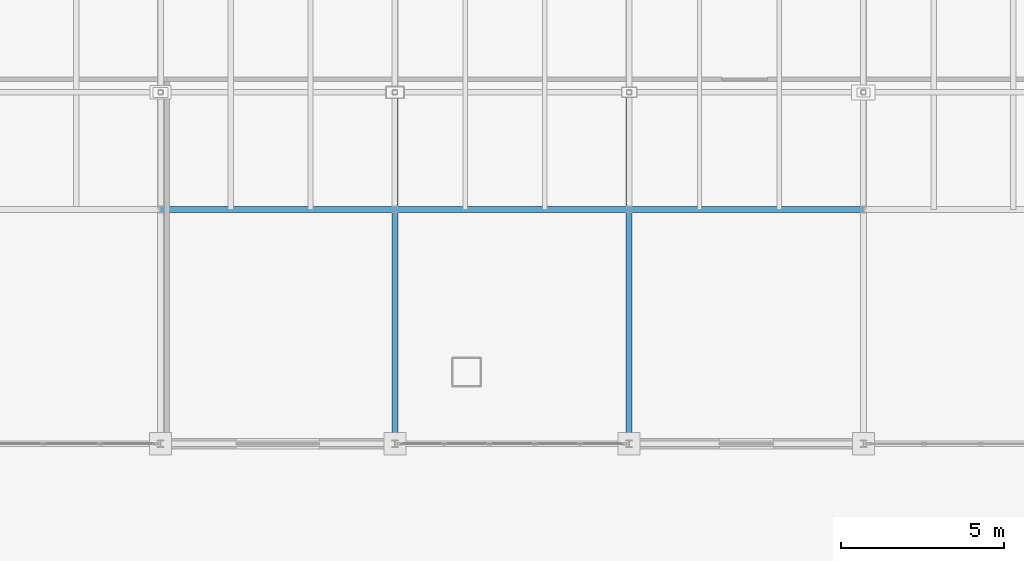
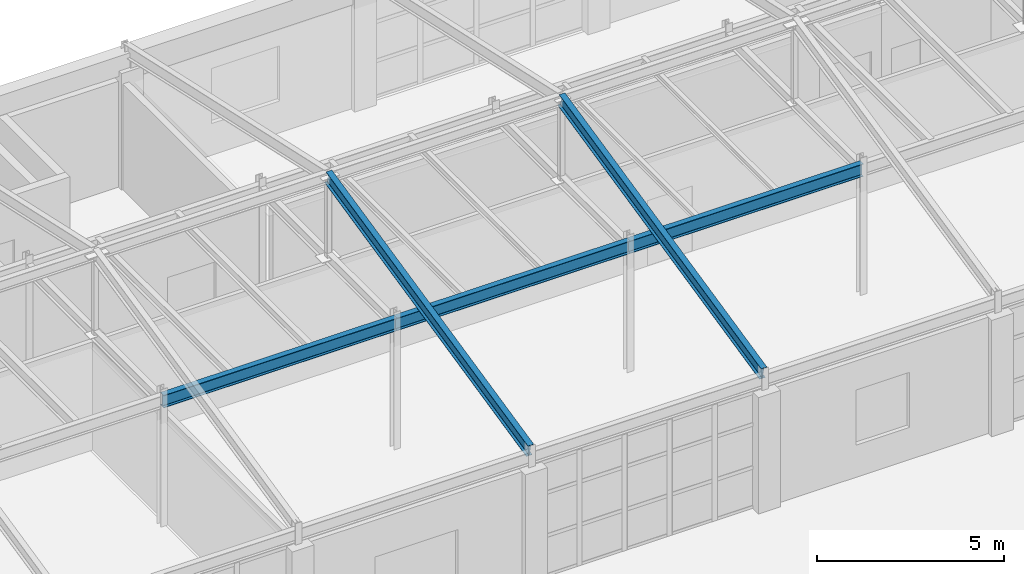
# One storey, part 61 of 101: 5 beams.
"""IFC4 building model written with IfcOpenShell, lengths in metres."""

from ifc_helpers import new_model, si_unit, direction, frame, origin, origin_2d, place, context, subcontext, project, spatial, i_section, extrude, material, material_profile, profile_set, type_object, element, save


model = new_model("IFC4")

# Units and contexts
model_context = context("Model", 3, precision=1e-05, world=origin(), true_north=direction((0.0, 1.0)))
body_context = subcontext(model_context, "Body", "Model", "MODEL_VIEW")
ifc_project = project(units=[si_unit("LENGTHUNIT", "METRE"), si_unit("AREAUNIT", "SQUARE_METRE"), si_unit("VOLUMEUNIT", "CUBIC_METRE"), si_unit("PLANEANGLEUNIT", "RADIAN"), si_unit("MASSUNIT", "GRAM", prefix="KILO")], contexts=[model_context])

# Site, building, storey
site_placement = place(None, origin())
site = spatial("IfcSite", under=ifc_project, at=site_placement, CompositionType="ELEMENT")
building_placement = place(site_placement, origin())
building = spatial("IfcBuilding", under=site, at=building_placement, Name="Kemerveld Promenade Tramway Depot", CompositionType="ELEMENT")
storey_placement = place(building_placement, frame((0.0, 0.0, 9.89990234375)))
storey = spatial("IfcBuildingStorey", under=building, at=storey_placement, Name="L02", CompositionType="ELEMENT", Elevation=9.89990234375)

# Beams
ifc_material = material(Name="Steel S355", Category="steel")
ifc_material_profile = material_profile(ifc_material, i_section(OverallWidth=0.1787109375, OverallDepth=0.409423828125, WebThickness=0.0087890625, FlangeThickness=0.014404296875, FilletRadius=0.01025390625, at=origin_2d()), Name="406x178x67 UB")
ifc_profile_set = profile_set([ifc_material_profile], Name="Steel S355")
beam_type = type_object("IfcBeamType", Name="BM-G07", PredefinedType="BEAM", material=ifc_profile_set)
for number, where, z_axis, x_axis, name in (
    (1, (93.60009765625, 14.39990234375, 4.0703125), (1.0, 0.0, 0.0), (0.0, 1.0, 0.0), "BMX-L02-14-15-C"),
    (2, (100.800048828125, 14.39990234375, 4.0703125), (1.0, 0.0, 0.0), (0.0, 1.0, 0.0), "BMX-L02-15-16-C"),
    (3, (108.0, 14.39990234375, 4.0703125), (1.0, 0.0, 0.0), (0.0, 1.0, 0.0), "BMX-L02-16-17-C"),
):
    element("IfcBeam", number, at=place(storey_placement, frame(where, z_axis=z_axis, x_axis=x_axis)), inside=storey, type_object=beam_type, Name=name, PredefinedType="BEAM", context=body_context, shape_type="SweptSolid", body=[
        extrude(i_section(OverallWidth=0.1787109375, OverallDepth=0.409423828125, WebThickness=0.0087890625, FlangeThickness=0.014404296875, FilletRadius=0.01025390625, at=origin_2d()), origin(), (0.0, 0.0, 1.0), 7.199951171875),
    ])
for number, where, z_axis, x_axis, name in (
    (4, (100.800048828125, 7.199951171875, 4.275390625), (0.0, 0.976189137057, 0.216921111677), (-1.0, 0.0, 0.0), "RAF-V4-15-S"),
    (5, (108.0, 7.199951171875, 4.275390625), (0.0, 0.976189137057, 0.216921111677), (-1.0, 0.0, 0.0), "RAF-V4-16-S"),
):
    element("IfcBeam", number, at=place(storey_placement, frame(where, z_axis=z_axis, x_axis=x_axis)), inside=storey, type_object=beam_type, Name=name, PredefinedType="BEAM", context=body_context, shape_type="SweptSolid", body=[
        extrude(i_section(OverallWidth=0.1787109375, OverallDepth=0.409423828125, WebThickness=0.0087890625, FlangeThickness=0.014404296875, FilletRadius=0.01025390625, at=origin_2d()), origin(), (0.0, 0.0, 1.0), 11.0634765625),
    ])

save(model, "model.ifc")
